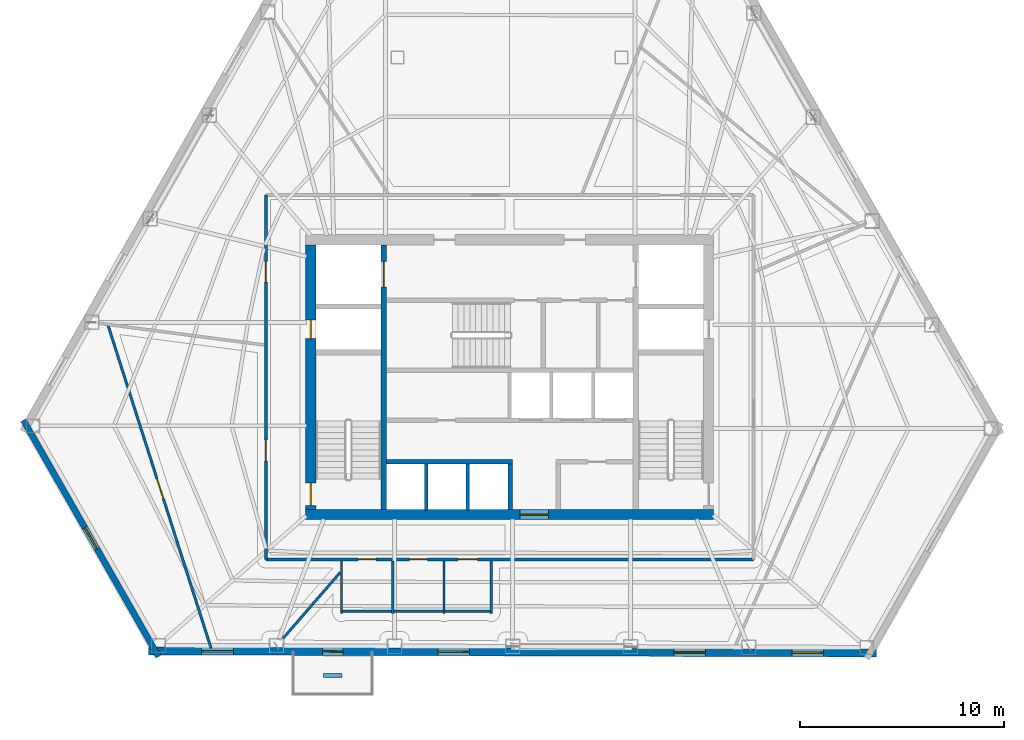
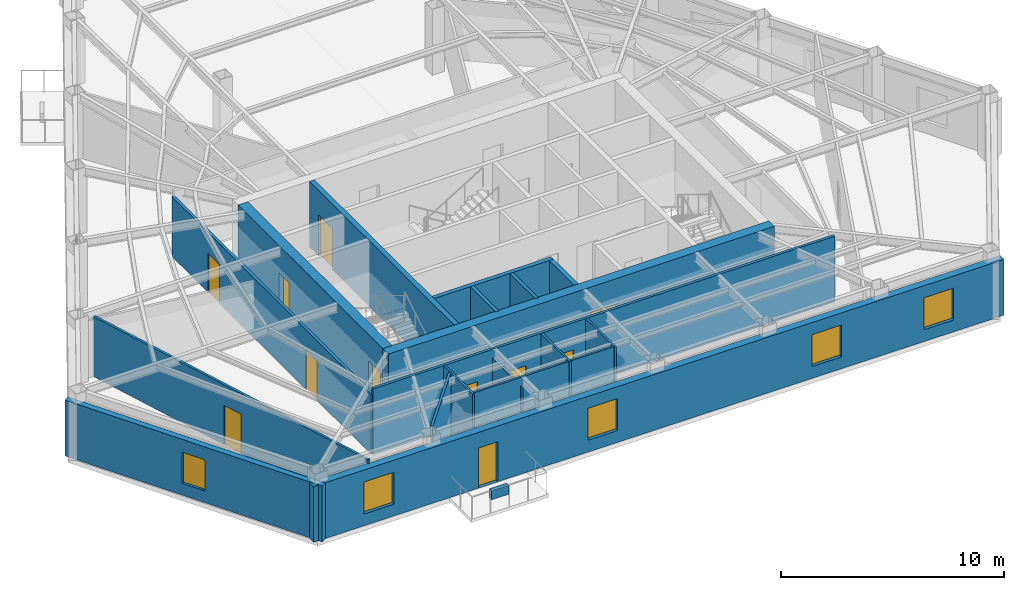
# One storey, part 8 of 13: 19 walls, 11 doors, 5 windows, 16 openings.
"""IFC4 building model written with IfcOpenShell, lengths in metres."""

from ifc_helpers import new_model, si_unit, direction, frame, frame_2d, origin, place, context, subcontext, project, spatial, rectangle, extrude, material, layer, layer_set, type_object, element, fill, save


model = new_model("IFC4")

# Units and contexts
model_context = context("Model", 3, precision=1e-05, world=origin(), true_north=direction((0.0, 1.0)))
body_context = subcontext(model_context, "Body", "Model", "MODEL_VIEW")
ifc_project = project(units=[si_unit("LENGTHUNIT", "METRE"), si_unit("AREAUNIT", "SQUARE_METRE"), si_unit("VOLUMEUNIT", "CUBIC_METRE"), si_unit("PLANEANGLEUNIT", "RADIAN"), si_unit("MASSUNIT", "GRAM", prefix="KILO")], contexts=[model_context])

# Site, building, storey
site_placement = place(None, origin())
site = spatial("IfcSite", under=ifc_project, at=site_placement, CompositionType="ELEMENT")
building_placement = place(site_placement, origin())
building = spatial("IfcBuilding", under=site, at=building_placement, Name="Kavelnor Concourse Tower", CompositionType="ELEMENT")
storey_placement = place(building_placement, frame((0.0, 0.0, 97.050048828125)))
storey = spatial("IfcBuildingStorey", under=building, at=storey_placement, Name="L24", CompositionType="ELEMENT", Elevation=97.050048828125)

# Wall, opening, door
ifc_material_1 = material(Name="Concrete C60/75", Category="concrete")
ifc_layer_1 = layer(ifc_material_1, 0.5, Name="Concrete C60/75")
ifc_layer_set_1 = layer_set([ifc_layer_1], Name="Concrete C60/75")
wall_type_1 = type_object("IfcWallType", Name="WL-CORE-Z2-500", PredefinedType="SOLIDWALL", material=ifc_layer_set_1)
wall_1_placement = place(storey_placement, frame((27.97998046875, 9.35009765625, 0.0), z_axis=(0.0, 0.0, 1.0), x_axis=(1.0, 0.0, 0.0)))
wall_1 = element("IfcWall", 1, at=wall_1_placement, inside=storey, type_object=wall_type_1, Name="L24 Central Core South Shear Wall", PredefinedType="SOLIDWALL", context=body_context, shape_type="SweptSolid", body=[
    extrude(rectangle(XDim=20.0400390625, YDim=0.5, at=frame_2d((10.02001953125, 0.0))), origin(), (0.0, 0.0, 1.0), 3.599853515625),
])
opening_1_placement = place(wall_1_placement, frame((10.52001953125, 0.0, 0.0)))
opening_1 = element("IfcOpeningElement", 2, at=opening_1_placement, cuts=wall_1, Name="Opening SD-140", PredefinedType="OPENING", context=body_context, shape_type="SweptSolid", body=[
    extrude(rectangle(XDim=1.39990234375, YDim=2.199951171875, at=frame_2d((0.699951171875, 1.10009765625))), frame((0.0, 0.260009765625, 0.0), z_axis=(0.0, -1.0, 0.0), x_axis=(1.0, 0.0, 0.0)), (0.0, 0.0, 1.0), 0.52001953125),
])
ifc_material_2 = material(Name="Solid-core hardwood timber", Category="wood")
door_type_1 = type_object("IfcDoorType", Name="DR-SUITE-ENTRY-1400", OperationType="NOTDEFINED", PredefinedType="DOOR", material=ifc_material_2)
door_1_placement = place(opening_1_placement, origin())
door_1 = element("IfcDoor", 3, at=door_1_placement, inside=storey, type_object=door_type_1, Name="L24 Passenger Lift Lobby Entry Door", OperationType="SINGLE_SWING_LEFT", OverallHeight=2.199951171875, OverallWidth=1.39990234375, PredefinedType="DOOR", context=body_context, shape_type="SweptSolid", body=[
    extrude(rectangle(XDim=1.39990234375, YDim=2.199951171875, at=frame_2d((0.699951171875, 1.10009765625))), frame((0.0, 0.02490234375, 0.0), z_axis=(0.0, -1.0, 0.0), x_axis=(1.0, 0.0, 0.0)), (0.0, 0.0, 1.0), 0.050048828125),
])
fill(opening_1, door_1)

# Wall, openings, doors
wall_2_placement = place(storey_placement, frame((28.22998046875, 9.60009765625, 0.0), z_axis=(0.0, 0.0, 1.0), x_axis=(0.0, 1.0, 0.0)))
wall_2 = element("IfcWall", 4, at=wall_2_placement, inside=storey, type_object=wall_type_1, Name="L24 Central Core West Shear Wall", PredefinedType="SOLIDWALL", context=body_context, shape_type="SweptSolid", body=[
    extrude(rectangle(XDim=13.0, YDim=0.5, at=frame_2d((6.5, 0.0))), origin(), (0.0, 0.0, 1.0), 3.599853515625),
])
opening_2_placement = place(wall_2_placement, frame((0.199951171875, 0.0, 0.0)))
opening_2 = element("IfcOpeningElement", 5, at=opening_2_placement, cuts=wall_2, Name="Opening FD-110", PredefinedType="OPENING", context=body_context, shape_type="SweptSolid", body=[
    extrude(rectangle(XDim=1.10009765625, YDim=2.14990234375, at=frame_2d((0.550048828125, 1.074951171875))), frame((0.0, 0.260009765625, 0.0), z_axis=(0.0, -1.0, 0.0), x_axis=(1.0, 0.0, 0.0)), (0.0, 0.0, 1.0), 0.52001953125),
])
opening_3_placement = place(wall_2_placement, frame((8.39990234375, 0.0, 0.0)))
opening_3 = element("IfcOpeningElement", 6, at=opening_3_placement, cuts=wall_2, Name="Opening FD-090", PredefinedType="OPENING", context=body_context, shape_type="SweptSolid", body=[
    extrude(rectangle(XDim=0.89990234375, YDim=2.10009765625, at=frame_2d((0.449951171875, 1.050048828125))), frame((0.0, 0.260009765625, 0.0), z_axis=(0.0, -1.0, 0.0), x_axis=(1.0, 0.0, 0.0)), (0.0, 0.0, 1.0), 0.52001953125),
])
ifc_material_3 = material(Name="Steel Grade 350", Category="steel")
door_type_2 = type_object("IfcDoorType", Name="DR-RISER-FIRE-900", OperationType="NOTDEFINED", PredefinedType="DOOR", material=ifc_material_3)
door_2_placement = place(opening_3_placement, origin())
door_2 = element("IfcDoor", 7, at=door_2_placement, inside=storey, type_object=door_type_2, Name="L24 West Riser Access Door", OperationType="SINGLE_SWING_RIGHT", OverallHeight=2.10009765625, OverallWidth=0.89990234375, PredefinedType="DOOR", context=body_context, shape_type="SweptSolid", body=[
    extrude(rectangle(XDim=0.89990234375, YDim=2.10009765625, at=frame_2d((0.449951171875, 1.050048828125))), frame((0.0, 0.02490234375, 0.0), z_axis=(0.0, -1.0, 0.0), x_axis=(1.0, 0.0, 0.0)), (0.0, 0.0, 1.0), 0.050048828125),
])
fill(opening_3, door_2)
door_type_3 = type_object("IfcDoorType", Name="DR-STAIR-FIRE-1100", OperationType="NOTDEFINED", PredefinedType="DOOR", material=ifc_material_3)
door_3_placement = place(opening_2_placement, origin())
door_3 = element("IfcDoor", 8, at=door_3_placement, inside=storey, type_object=door_type_3, Name="L24 Stair ST1 Fire Door", OperationType="SINGLE_SWING_LEFT", OverallHeight=2.14990234375, OverallWidth=1.10009765625, PredefinedType="DOOR", context=body_context, shape_type="SweptSolid", body=[
    extrude(rectangle(XDim=1.10009765625, YDim=2.14990234375, at=frame_2d((0.550048828125, 1.074951171875))), frame((0.0, 0.02490234375, 0.0), z_axis=(0.0, -1.0, 0.0), x_axis=(1.0, 0.0, 0.0)), (0.0, 0.0, 1.0), 0.050048828125),
])
fill(opening_2, door_3)

# Wall, opening, window
ifc_material_4 = material(Name="Buff ironspot clay face brick masonry", Category="masonry")
ifc_layer_2 = layer(ifc_material_4, 0.300048828125, Name="Buff ironspot clay face brick masonry")
ifc_layer_set_2 = layer_set([ifc_layer_2], Name="Buff ironspot clay face brick masonry")
wall_type_2 = type_object("IfcWallType", Name="WL-EXT-BUFF-BRICK-FOLD-300", PredefinedType="STANDARD", material=ifc_layer_set_2)
wall_3_placement = place(storey_placement, frame((20.75341796875, 2.371826171875, 0.0), z_axis=(0.0, 0.0, 1.0), x_axis=(-0.496215555128, 0.868199356628, 0.0)))
wall_3 = element("IfcWall", 9, at=wall_3_placement, inside=storey, type_object=wall_type_2, Name="L24 Exterior Brick Facade Wall E2", PredefinedType="STANDARD", context=body_context, shape_type="SweptSolid", body=[
    extrude(rectangle(XDim=13.383056640625, YDim=0.300048828125, at=frame_2d((6.69140625, 0.0))), origin(), (0.0, 0.0, 1.0), 3.058837890625),
])
opening_4_placement = place(wall_3_placement, frame((6.091552734375, 0.0, 0.64990234375)))
opening_4 = element("IfcOpeningElement", 10, at=opening_4_placement, cuts=wall_3, Name="Opening W-05", PredefinedType="OPENING", context=body_context, shape_type="SweptSolid", body=[
    extrude(rectangle(XDim=1.199951171875, YDim=1.699951171875, at=frame_2d((0.60009765625, 0.85009765625))), frame((0.0, 0.16015625, 0.0), z_axis=(0.0, -1.0, 0.0), x_axis=(1.0, 0.0, 0.0)), (0.0, 0.0, 1.0), 0.320068359375),
])
ifc_material_5 = material(Name="Double low-E argon insulated glazing", Category="glass")
window_type_1 = type_object("IfcWindowType", Name="WIN-FOLD-1200", PartitioningType="SINGLE_PANEL", PredefinedType="WINDOW", material=ifc_material_5)
window_1_placement = place(opening_4_placement, origin())
window_1 = element("IfcWindow", 11, at=window_1_placement, inside=storey, type_object=window_type_1, Name="L24 Chamfer-Fold Facet Window C1", OverallHeight=1.699951171875, OverallWidth=1.199951171875, PartitioningType="SINGLE_PANEL", PredefinedType="WINDOW", context=body_context, shape_type="SweptSolid", body=[
    extrude(rectangle(XDim=1.199951171875, YDim=1.699951171875, at=frame_2d((0.60009765625, 0.85009765625))), frame((0.0, 0.030029296875, 0.0), z_axis=(0.0, -1.0, 0.0), x_axis=(1.0, 0.0, 0.0)), (0.0, 0.0, 1.0), 0.06005859375),
])
fill(opening_4, window_1)

# Wall, openings, door, windows
ifc_material_6 = material(Name="Red-ochre clay face brick masonry", Category="masonry")
ifc_layer_3 = layer(ifc_material_6, 0.3798828125, Name="Red-ochre clay face brick masonry")
ifc_layer_set_3 = layer_set([ifc_layer_3], Name="Red-ochre clay face brick masonry")
wall_type_3 = type_object("IfcWallType", Name="WL-EXT-RED-BRICK-PIER-380", PredefinedType="STANDARD", material=ifc_layer_set_3)
wall_4_placement = place(storey_placement, frame((56.023193359375, 2.552001953125, 0.0), z_axis=(0.0, 0.0, 1.0), x_axis=(-0.999996099517, 0.002793018142, 0.0)))
wall_4 = element("IfcWall", 12, at=wall_4_placement, inside=storey, type_object=wall_type_3, Name="L24 Exterior Brick Facade Wall E3", PredefinedType="STANDARD", context=body_context, shape_type="SweptSolid", body=[
    extrude(rectangle(XDim=35.751220703125, YDim=0.3798828125, at=frame_2d((17.87548828125, 0.0))), origin(), (0.0, 0.0, 1.0), 3.058837890625),
])
opening_5_placement = place(wall_4_placement, frame((26.21337890625, 0.0, 0.0)))
opening_5 = element("IfcOpeningElement", 13, at=opening_5_placement, cuts=wall_4, Name="Opening BD-100", PredefinedType="OPENING", context=body_context, shape_type="SweptSolid", body=[
    extrude(rectangle(XDim=1.0, YDim=2.199951171875, at=frame_2d((0.5, 1.10009765625))), frame((0.0, 0.199951171875, 0.0), z_axis=(0.0, -1.0, 0.0), x_axis=(1.0, 0.0, 0.0)), (0.0, 0.0, 1.0), 0.39990234375),
])
opening_6_placement = place(wall_4_placement, frame((31.59912109375, 0.0, 0.64990234375)))
opening_6 = element("IfcOpeningElement", 14, at=opening_6_placement, cuts=wall_4, Name="Opening W-02", PredefinedType="OPENING", context=body_context, shape_type="SweptSolid", body=[
    extrude(rectangle(XDim=1.550048828125, YDim=1.75, at=frame_2d((0.77490234375, 0.875))), frame((0.0, 0.199951171875, 0.0), z_axis=(0.0, -1.0, 0.0), x_axis=(1.0, 0.0, 0.0)), (0.0, 0.0, 1.0), 0.39990234375),
])
opening_7_placement = place(wall_4_placement, frame((20.001220703125, 0.0, 0.64990234375)))
opening_7 = element("IfcOpeningElement", 15, at=opening_7_placement, cuts=wall_4, Name="Opening W-02", PredefinedType="OPENING", context=body_context, shape_type="SweptSolid", body=[
    extrude(rectangle(XDim=1.550048828125, YDim=1.75, at=frame_2d((0.77490234375, 0.875))), frame((0.0, 0.199951171875, 0.0), z_axis=(0.0, -1.0, 0.0), x_axis=(1.0, 0.0, 0.0)), (0.0, 0.0, 1.0), 0.39990234375),
])
opening_8_placement = place(wall_4_placement, frame((8.403564453125, 0.0, 0.64990234375)))
opening_8 = element("IfcOpeningElement", 16, at=opening_8_placement, cuts=wall_4, Name="Opening W-02", PredefinedType="OPENING", context=body_context, shape_type="SweptSolid", body=[
    extrude(rectangle(XDim=1.550048828125, YDim=1.75, at=frame_2d((0.77490234375, 0.875))), frame((0.0, 0.199951171875, 0.0), z_axis=(0.0, -1.0, 0.0), x_axis=(1.0, 0.0, 0.0)), (0.0, 0.0, 1.0), 0.39990234375),
])
opening_9_placement = place(wall_4_placement, frame((2.604736328125, 0.0, 0.64990234375)))
opening_9 = element("IfcOpeningElement", 17, at=opening_9_placement, cuts=wall_4, Name="Opening W-02", PredefinedType="OPENING", context=body_context, shape_type="SweptSolid", body=[
    extrude(rectangle(XDim=1.550048828125, YDim=1.75, at=frame_2d((0.77490234375, 0.875))), frame((0.0, 0.199951171875, 0.0), z_axis=(0.0, -1.0, 0.0), x_axis=(1.0, 0.0, 0.0)), (0.0, 0.0, 1.0), 0.39990234375),
])
ifc_material_7 = material(Name="Anodised aluminium 6063-T6", Category="aluminium")
door_type_4 = type_object("IfcDoorType", Name="DR-BALCONY-EXT-1000", OperationType="NOTDEFINED", PredefinedType="DOOR", material=ifc_material_7)
door_4_placement = place(opening_5_placement, origin())
door_4 = element("IfcDoor", 18, at=door_4_placement, inside=storey, type_object=door_type_4, Name="L24 Tree Balcony 2 Glazed Door", OperationType="SINGLE_SWING_RIGHT", OverallHeight=2.199951171875, OverallWidth=1.0, PredefinedType="DOOR", context=body_context, shape_type="SweptSolid", body=[
    extrude(rectangle(XDim=1.0, YDim=2.199951171875, at=frame_2d((0.5, 1.10009765625))), frame((0.0, 0.02490234375, 0.0), z_axis=(0.0, -1.0, 0.0), x_axis=(1.0, 0.0, 0.0)), (0.0, 0.0, 1.0), 0.050048828125),
])
fill(opening_5, door_4)
window_type_2 = type_object("IfcWindowType", Name="WIN-PIER-Z2-1650", PartitioningType="SINGLE_PANEL", PredefinedType="WINDOW", material=ifc_material_5)
window_2_placement = place(opening_6_placement, origin())
window_2 = element("IfcWindow", 19, at=window_2_placement, inside=storey, type_object=window_type_2, Name="L24 Deep-Set Brick Pier Window F1-B0", OverallHeight=1.75, OverallWidth=1.550048828125, PartitioningType="SINGLE_PANEL", PredefinedType="WINDOW", context=body_context, shape_type="SweptSolid", body=[
    extrude(rectangle(XDim=1.550048828125, YDim=1.75, at=frame_2d((0.77490234375, 0.875))), frame((0.0, 0.030029296875, 0.0), z_axis=(0.0, -1.0, 0.0), x_axis=(1.0, 0.0, 0.0)), (0.0, 0.0, 1.0), 0.06005859375),
])
fill(opening_6, window_2)
window_3_placement = place(opening_7_placement, origin())
window_3 = element("IfcWindow", 20, at=window_3_placement, inside=storey, type_object=window_type_2, Name="L24 Deep-Set Brick Pier Window F1-B2", OverallHeight=1.75, OverallWidth=1.550048828125, PartitioningType="SINGLE_PANEL", PredefinedType="WINDOW", context=body_context, shape_type="SweptSolid", body=[
    extrude(rectangle(XDim=1.550048828125, YDim=1.75, at=frame_2d((0.77490234375, 0.875))), frame((0.0, 0.030029296875, 0.0), z_axis=(0.0, -1.0, 0.0), x_axis=(1.0, 0.0, 0.0)), (0.0, 0.0, 1.0), 0.06005859375),
])
fill(opening_7, window_3)
window_4_placement = place(opening_8_placement, origin())
window_4 = element("IfcWindow", 21, at=window_4_placement, inside=storey, type_object=window_type_2, Name="L24 Deep-Set Brick Pier Window F1-B4", OverallHeight=1.75, OverallWidth=1.550048828125, PartitioningType="SINGLE_PANEL", PredefinedType="WINDOW", context=body_context, shape_type="SweptSolid", body=[
    extrude(rectangle(XDim=1.550048828125, YDim=1.75, at=frame_2d((0.77490234375, 0.875))), frame((0.0, 0.030029296875, 0.0), z_axis=(0.0, -1.0, 0.0), x_axis=(1.0, 0.0, 0.0)), (0.0, 0.0, 1.0), 0.06005859375),
])
fill(opening_8, window_4)
window_5_placement = place(opening_9_placement, origin())
window_5 = element("IfcWindow", 22, at=window_5_placement, inside=storey, type_object=window_type_2, Name="L24 Deep-Set Brick Pier Window F1-B5", OverallHeight=1.75, OverallWidth=1.550048828125, PartitioningType="SINGLE_PANEL", PredefinedType="WINDOW", context=body_context, shape_type="SweptSolid", body=[
    extrude(rectangle(XDim=1.550048828125, YDim=1.75, at=frame_2d((0.77490234375, 0.875))), frame((0.0, 0.030029296875, 0.0), z_axis=(0.0, -1.0, 0.0), x_axis=(1.0, 0.0, 0.0)), (0.0, 0.0, 1.0), 0.06005859375),
])
fill(opening_9, window_5)

# Wall, openings, doors
ifc_material_8 = material(Name="Gypsum plasterboard on light-gauge steel studs", Category="steel")
ifc_layer_4 = layer(ifc_material_8, 0.14501953125, Name="Gypsum plasterboard on light-gauge steel studs")
ifc_layer_set_4 = layer_set([ifc_layer_4], Name="Gypsum plasterboard on light-gauge steel studs")
wall_type_4 = type_object("IfcWallType", Name="WL-INT-CORR-145", PredefinedType="PARTITIONING", material=ifc_layer_set_4)
wall_5_placement = place(storey_placement, frame((26.030029296875, 25.050048828125, 0.0), z_axis=(0.0, 0.0, 1.0), x_axis=(0.0, -1.0, 0.0)))
wall_5 = element("IfcWall", 23, at=wall_5_placement, inside=storey, type_object=wall_type_4, Name="L24 Corridor Wall WL-L24-CR-03", PredefinedType="PARTITIONING", context=body_context, shape_type="SweptSolid", body=[
    extrude(rectangle(XDim=17.900146484375, YDim=0.14501953125, at=frame_2d((8.9501953125, 0.0))), origin(), (0.0, 0.0, 1.0), 3.287841796875),
])
opening_10_placement = place(wall_5_placement, frame((3.2587890625, 0.0, 0.0)))
opening_10 = element("IfcOpeningElement", 24, at=opening_10_placement, cuts=wall_5, Name="Opening MD-102", PredefinedType="OPENING", context=body_context, shape_type="SweptSolid", body=[
    extrude(rectangle(XDim=1.02001953125, YDim=2.14990234375, at=frame_2d((0.510009765625, 1.074951171875))), frame((0.0, 0.08251953125, 0.0), z_axis=(0.0, -1.0, 0.0), x_axis=(1.0, 0.0, 0.0)), (0.0, 0.0, 1.0), 0.1650390625),
])
opening_11_placement = place(wall_5_placement, frame((12.0380859375, 0.0, 0.0)))
opening_11 = element("IfcOpeningElement", 25, at=opening_11_placement, cuts=wall_5, Name="Opening MD-102", PredefinedType="OPENING", context=body_context, shape_type="SweptSolid", body=[
    extrude(rectangle(XDim=1.02001953125, YDim=2.14990234375, at=frame_2d((0.510009765625, 1.074951171875))), frame((0.0, 0.08251953125, 0.0), z_axis=(0.0, -1.0, 0.0), x_axis=(1.0, 0.0, 0.0)), (0.0, 0.0, 1.0), 0.1650390625),
])
ifc_material_9 = material(Name="Acoustic glazed timber frame", Category="wood")
door_type_5 = type_object("IfcDoorType", Name="DR-MEETING-1020", OperationType="NOTDEFINED", PredefinedType="DOOR", material=ifc_material_9)
door_5_placement = place(opening_10_placement, origin())
door_5 = element("IfcDoor", 26, at=door_5_placement, inside=storey, type_object=door_type_5, Name="L24 Client Boardroom 04 Door", OperationType="SINGLE_SWING_LEFT", OverallHeight=2.14990234375, OverallWidth=1.02001953125, PredefinedType="DOOR", context=body_context, shape_type="SweptSolid", body=[
    extrude(rectangle(XDim=1.02001953125, YDim=2.14990234375, at=frame_2d((0.510009765625, 1.074951171875))), frame((0.0, 0.02490234375, 0.0), z_axis=(0.0, -1.0, 0.0), x_axis=(1.0, 0.0, 0.0)), (0.0, 0.0, 1.0), 0.050048828125),
])
fill(opening_10, door_5)
door_6_placement = place(opening_11_placement, origin())
door_6 = element("IfcDoor", 27, at=door_6_placement, inside=storey, type_object=door_type_5, Name="L24 Client Boardroom 05 Door", OperationType="SINGLE_SWING_RIGHT", OverallHeight=2.14990234375, OverallWidth=1.02001953125, PredefinedType="DOOR", context=body_context, shape_type="SweptSolid", body=[
    extrude(rectangle(XDim=1.02001953125, YDim=2.14990234375, at=frame_2d((0.510009765625, 1.074951171875))), frame((0.0, 0.02490234375, 0.0), z_axis=(0.0, -1.0, 0.0), x_axis=(1.0, 0.0, 0.0)), (0.0, 0.0, 1.0), 0.050048828125),
])
fill(opening_11, door_6)

wall_6_placement = place(storey_placement, frame((26.030029296875, 7.14990234375, 0.0), z_axis=(0.0, 0.0, 1.0), x_axis=(1.0, 0.0, 0.0)))
wall_6 = element("IfcWall", 28, at=wall_6_placement, inside=storey, type_object=wall_type_4, Name="L24 Corridor Wall WL-L24-CR-04", PredefinedType="PARTITIONING", context=body_context, shape_type="SweptSolid", body=[
    extrude(rectangle(XDim=23.93994140625, YDim=0.14501953125, at=frame_2d((11.969970703125, 0.0))), origin(), (0.0, 0.0, 1.0), 3.599853515625),
])
opening_12_placement = place(wall_6_placement, frame((4.530029296875, 0.0, 0.0)))
opening_12 = element("IfcOpeningElement", 29, at=opening_12_placement, cuts=wall_6, Name="Opening WD-088", PredefinedType="OPENING", context=body_context, shape_type="SweptSolid", body=[
    extrude(rectangle(XDim=0.8798828125, YDim=2.10009765625, at=frame_2d((0.43994140625, 1.050048828125))), frame((0.0, 0.08251953125, 0.0), z_axis=(0.0, -1.0, 0.0), x_axis=(1.0, 0.0, 0.0)), (0.0, 0.0, 1.0), 0.1650390625),
])
opening_13_placement = place(wall_6_placement, frame((7.050048828125, 0.0, 0.0)))
opening_13 = element("IfcOpeningElement", 30, at=opening_13_placement, cuts=wall_6, Name="Opening WD-088", PredefinedType="OPENING", context=body_context, shape_type="SweptSolid", body=[
    extrude(rectangle(XDim=0.8798828125, YDim=2.10009765625, at=frame_2d((0.43994140625, 1.050048828125))), frame((0.0, 0.08251953125, 0.0), z_axis=(0.0, -1.0, 0.0), x_axis=(1.0, 0.0, 0.0)), (0.0, 0.0, 1.0), 0.1650390625),
])
opening_14_placement = place(wall_6_placement, frame((9.429931640625, 0.0, 0.0)))
opening_14 = element("IfcOpeningElement", 31, at=opening_14_placement, cuts=wall_6, Name="Opening WD-096", PredefinedType="OPENING", context=body_context, shape_type="SweptSolid", body=[
    extrude(rectangle(XDim=0.9599609375, YDim=2.10009765625, at=frame_2d((0.47998046875, 1.050048828125))), frame((0.0, 0.08251953125, 0.0), z_axis=(0.0, -1.0, 0.0), x_axis=(1.0, 0.0, 0.0)), (0.0, 0.0, 1.0), 0.1650390625),
])
door_type_6 = type_object("IfcDoorType", Name="DR-WC-ACC-960", OperationType="NOTDEFINED", PredefinedType="DOOR", material=ifc_material_2)
door_7_placement = place(opening_14_placement, origin())
door_7 = element("IfcDoor", 32, at=door_7_placement, inside=storey, type_object=door_type_6, Name="L24 Accessible WC Door", OperationType="SINGLE_SWING_LEFT", OverallHeight=2.10009765625, OverallWidth=0.9599609375, PredefinedType="DOOR", context=body_context, shape_type="SweptSolid", body=[
    extrude(rectangle(XDim=0.9599609375, YDim=2.10009765625, at=frame_2d((0.47998046875, 1.050048828125))), frame((0.0, 0.02490234375, 0.0), z_axis=(0.0, -1.0, 0.0), x_axis=(1.0, 0.0, 0.0)), (0.0, 0.0, 1.0), 0.050048828125),
])
fill(opening_14, door_7)
door_type_7 = type_object("IfcDoorType", Name="DR-WC-STD-880", OperationType="NOTDEFINED", PredefinedType="DOOR", material=ifc_material_2)
door_8_placement = place(opening_12_placement, origin())
door_8 = element("IfcDoor", 33, at=door_8_placement, inside=storey, type_object=door_type_7, Name="L24 Male WC Door", OperationType="SINGLE_SWING_LEFT", OverallHeight=2.10009765625, OverallWidth=0.8798828125, PredefinedType="DOOR", context=body_context, shape_type="SweptSolid", body=[
    extrude(rectangle(XDim=0.8798828125, YDim=2.10009765625, at=frame_2d((0.43994140625, 1.050048828125))), frame((0.0, 0.02490234375, 0.0), z_axis=(0.0, -1.0, 0.0), x_axis=(1.0, 0.0, 0.0)), (0.0, 0.0, 1.0), 0.050048828125),
])
fill(opening_12, door_8)
door_9_placement = place(opening_13_placement, origin())
door_9 = element("IfcDoor", 34, at=door_9_placement, inside=storey, type_object=door_type_7, Name="L24 Female WC Door", OperationType="SINGLE_SWING_RIGHT", OverallHeight=2.10009765625, OverallWidth=0.8798828125, PredefinedType="DOOR", context=body_context, shape_type="SweptSolid", body=[
    extrude(rectangle(XDim=0.8798828125, YDim=2.10009765625, at=frame_2d((0.43994140625, 1.050048828125))), frame((0.0, 0.02490234375, 0.0), z_axis=(0.0, -1.0, 0.0), x_axis=(1.0, 0.0, 0.0)), (0.0, 0.0, 1.0), 0.050048828125),
])
fill(opening_13, door_9)

# Walls
ifc_layer_5 = layer(ifc_material_8, 0.1650390625, Name="Gypsum plasterboard on light-gauge steel studs")
ifc_layer_set_5 = layer_set([ifc_layer_5], Name="Gypsum plasterboard on light-gauge steel studs")
wall_type_5 = type_object("IfcWallType", Name="WL-INT-FIRE-165", PredefinedType="PARTITIONING", material=ifc_layer_set_5)
for number, where, z_axis, x_axis, name in (
    (35, (33.89990234375, 9.550048828125, 0.0), (0.0, 0.0, 1.0), (0.0, 1.0, 0.0), "L24 Lift Shaft Divider LP7"),
    (36, (35.949951171875, 9.550048828125, 0.0), (0.0, 0.0, 1.0), (0.0, 1.0, 0.0), "L24 Lift Shaft Divider LP8"),
):
    element("IfcWall", number, at=place(storey_placement, frame(where, z_axis=z_axis, x_axis=x_axis)), inside=storey, type_object=wall_type_5, Name=name, PredefinedType="PARTITIONING", context=body_context, shape_type="SweptSolid", body=[
        extrude(rectangle(XDim=2.2900390625, YDim=0.1650390625, at=frame_2d((1.14501953125, 0.0))), origin(), (0.0, 0.0, 1.0), 3.599853515625),
    ])
ifc_layer_6 = layer(ifc_material_8, 0.125, Name="Gypsum plasterboard on light-gauge steel studs")
ifc_layer_set_6 = layer_set([ifc_layer_6], Name="Gypsum plasterboard on light-gauge steel studs")
wall_type_6 = type_object("IfcWallType", Name="WL-INT-SUITE-125", PredefinedType="PARTITIONING", material=ifc_layer_set_6)
wall_7_placement = place(storey_placement, frame((29.677001953125, 6.50830078125, 0.0), z_axis=(0.0, 0.0, 1.0), x_axis=(-0.655396820037, -0.755284720013, 0.0)))
element("IfcWall", 37, at=wall_7_placement, inside=storey, type_object=wall_type_6, Name="L24 Radial Suite Partition 05", PredefinedType="PARTITIONING", context=body_context, shape_type="SweptSolid", body=[
    extrude(rectangle(XDim=4.28466796875, YDim=0.125, at=frame_2d((2.142333984375, 0.0))), origin(), (0.0, 0.0, 1.0), 3.599853515625),
])

# Wall, opening, door
wall_8_placement = place(storey_placement, frame((18.264404296875, 18.6767578125, 0.0), z_axis=(0.0, 0.0, 1.0), x_axis=(0.303993518428, -0.95267409997, 0.0)))
wall_8 = element("IfcWall", 38, at=wall_8_placement, inside=storey, type_object=wall_type_6, Name="L24 Suite Subdivision Partition 04", PredefinedType="PARTITIONING", context=body_context, shape_type="SweptSolid", body=[
    extrude(rectangle(XDim=16.672607421875, YDim=0.125, at=frame_2d((8.33642578125, 0.0))), origin(), (0.0, 0.0, 1.0), 3.287841796875),
])
opening_15_placement = place(wall_8_placement, frame((7.941162109375, 0.0, 0.0)))
opening_15 = element("IfcOpeningElement", 39, at=opening_15_placement, cuts=wall_8, Name="Opening MD-102", PredefinedType="OPENING", context=body_context, shape_type="SweptSolid", body=[
    extrude(rectangle(XDim=1.02001953125, YDim=2.14990234375, at=frame_2d((0.510009765625, 1.074951171875))), frame((0.0, 0.072509765625, 0.0), z_axis=(0.0, -1.0, 0.0), x_axis=(1.0, 0.0, 0.0)), (0.0, 0.0, 1.0), 0.14501953125),
])
door_10_placement = place(opening_15_placement, origin())
door_10 = element("IfcDoor", 40, at=door_10_placement, inside=storey, type_object=door_type_5, Name="L24 Client Boardroom 06 Door", OperationType="SINGLE_SWING_LEFT", OverallHeight=2.14990234375, OverallWidth=1.02001953125, PredefinedType="DOOR", context=body_context, shape_type="SweptSolid", body=[
    extrude(rectangle(XDim=1.02001953125, YDim=2.14990234375, at=frame_2d((0.510009765625, 1.074951171875))), frame((0.0, 0.02490234375, 0.0), z_axis=(0.0, -1.0, 0.0), x_axis=(1.0, 0.0, 0.0)), (0.0, 0.0, 1.0), 0.050048828125),
])
fill(opening_15, door_10)

# Walls
ifc_layer_7 = layer(ifc_material_8, 0.110107421875, Name="Gypsum plasterboard on light-gauge steel studs")
ifc_layer_set_7 = layer_set([ifc_layer_7], Name="Gypsum plasterboard on light-gauge steel studs")
wall_type_7 = type_object("IfcWallType", Name="WL-INT-WC-110", PredefinedType="PLUMBINGWALL", material=ifc_layer_set_7)
wall_9_placement = place(storey_placement, frame((29.739990234375, 4.5, 0.0), z_axis=(0.0, 0.0, 1.0), x_axis=(0.0, 1.0, 0.0)))
element("IfcWall", 41, at=wall_9_placement, inside=storey, type_object=wall_type_7, Name="L24 Sanitary Partition WL-L24-WC-W", PredefinedType="PLUMBINGWALL", context=body_context, shape_type="SweptSolid", body=[
    extrude(rectangle(XDim=2.580078125, YDim=0.110107421875, at=frame_2d((1.2900390625, 0.0))), origin(), (0.0, 0.0, 1.0), 3.599853515625),
])
wall_10_placement = place(storey_placement, frame((32.260009765625, 4.5, 0.0), z_axis=(0.0, 0.0, 1.0), x_axis=(0.0, 1.0, 0.0)))
element("IfcWall", 42, at=wall_10_placement, inside=storey, type_object=wall_type_7, Name="L24 Sanitary Partition WL-L24-WC-D1", PredefinedType="PLUMBINGWALL", context=body_context, shape_type="SweptSolid", body=[
    extrude(rectangle(XDim=2.580078125, YDim=0.110107421875, at=frame_2d((1.2900390625, 0.0))), origin(), (0.0, 0.0, 1.0), 3.140869140625),
])
for number, where, z_axis, x_axis, name in (
    (43, (34.780029296875, 4.5, 0.0), (0.0, 0.0, 1.0), (0.0, 1.0, 0.0), "L24 Sanitary Partition WL-L24-WC-D2"),
    (44, (37.10009765625, 4.5, 0.0), (0.0, 0.0, 1.0), (0.0, 1.0, 0.0), "L24 Sanitary Partition WL-L24-WC-E"),
):
    element("IfcWall", number, at=place(storey_placement, frame(where, z_axis=z_axis, x_axis=x_axis)), inside=storey, type_object=wall_type_7, Name=name, PredefinedType="PLUMBINGWALL", context=body_context, shape_type="SweptSolid", body=[
        extrude(rectangle(XDim=2.580078125, YDim=0.110107421875, at=frame_2d((1.2900390625, 0.0))), origin(), (0.0, 0.0, 1.0), 3.599853515625),
    ])
wall_11_placement = place(storey_placement, frame((29.68994140625, 4.60009765625, 0.0), z_axis=(0.0, 0.0, 1.0), x_axis=(1.0, 0.0, 0.0)))
element("IfcWall", 45, at=wall_11_placement, inside=storey, type_object=wall_type_7, Name="L24 Sanitary Partition WL-L24-WC-S", PredefinedType="PLUMBINGWALL", context=body_context, shape_type="SweptSolid", body=[
    extrude(rectangle(XDim=7.4599609375, YDim=0.110107421875, at=frame_2d((3.72998046875, 0.0))), origin(), (0.0, 0.0, 1.0), 3.599853515625),
])
ifc_material_10 = material(Name="Architectural precast planter concrete C40/50", Category="concrete")
ifc_layer_8 = layer(ifc_material_10, 0.18994140625, Name="Architectural precast planter concrete C40/50")
ifc_layer_set_8 = layer_set([ifc_layer_8], Name="Architectural precast planter concrete C40/50")
wall_type_8 = type_object("IfcWallType", Name="WL-PLANTER-KERB-190", PredefinedType="USERDEFINED", material=ifc_layer_set_8)
wall_12_placement = place(storey_placement, frame((28.856689453125, 1.44287109375, 0.0), z_axis=(0.0, 0.0, 1.0), x_axis=(0.999995547112, -0.002984251497, 0.0)))
element("IfcWall", 46, at=wall_12_placement, inside=storey, type_object=wall_type_8, Name="L24 Tree Balcony 2 Tree Planter Kerb", ObjectType="PLANTER", PredefinedType="USERDEFINED", context=body_context, shape_type="SweptSolid", body=[
    extrude(rectangle(XDim=0.89990234375, YDim=0.18994140625, at=frame_2d((0.449951171875, 0.0))), origin(), (0.0, 0.0, 1.0), 0.5),
])
ifc_material_11 = material(Name="Concrete C50/60", Category="concrete")
ifc_layer_9 = layer(ifc_material_11, 0.219970703125, Name="Concrete C50/60")
ifc_layer_set_9 = layer_set([ifc_layer_9], Name="Concrete C50/60")
wall_type_9 = type_object("IfcWallType", Name="WL-SHAFT-220", PredefinedType="SOLIDWALL", material=ifc_layer_set_9)
wall_13_placement = place(storey_placement, frame((31.93994140625, 11.949951171875, 0.0), z_axis=(0.0, 0.0, 1.0), x_axis=(1.0, 0.0, 0.0)))
element("IfcWall", 47, at=wall_13_placement, inside=storey, type_object=wall_type_9, Name="L24 High-Rise Lift Bank North Wall", PredefinedType="SOLIDWALL", context=body_context, shape_type="SweptSolid", body=[
    extrude(rectangle(XDim=6.18994140625, YDim=0.219970703125, at=frame_2d((3.094970703125, 0.0))), origin(), (0.0, 0.0, 1.0), 3.599853515625),
])
wall_14_placement = place(storey_placement, frame((38.02001953125, 9.60009765625, 0.0), z_axis=(0.0, 0.0, 1.0), x_axis=(0.0, 1.0, 0.0)))
element("IfcWall", 48, at=wall_14_placement, inside=storey, type_object=wall_type_9, Name="L24 Lift Lobby Throat West Wall", PredefinedType="SOLIDWALL", context=body_context, shape_type="SweptSolid", body=[
    extrude(rectangle(XDim=2.239990234375, YDim=0.219970703125, at=frame_2d((1.1201171875, 0.0))), origin(), (0.0, 0.0, 1.0), 3.599853515625),
])

# Wall, opening, door
ifc_layer_10 = layer(ifc_material_11, 0.260009765625, Name="Concrete C50/60")
ifc_layer_set_10 = layer_set([ifc_layer_10], Name="Concrete C50/60")
wall_type_10 = type_object("IfcWallType", Name="WL-SHAFT-260", PredefinedType="SHEAR", material=ifc_layer_set_10)
wall_15_placement = place(storey_placement, frame((31.81005859375, 9.60009765625, 0.0), z_axis=(0.0, 0.0, 1.0), x_axis=(0.0, 1.0, 0.0)))
wall_15 = element("IfcWall", 49, at=wall_15_placement, inside=storey, type_object=wall_type_10, Name="L24 Core West Wing Shear Wall", PredefinedType="SHEAR", context=body_context, shape_type="SweptSolid", body=[
    extrude(rectangle(XDim=13.0, YDim=0.260009765625, at=frame_2d((6.5, 0.0))), origin(), (0.0, 0.0, 1.0), 3.599853515625),
])
opening_16_placement = place(wall_15_placement, frame((10.925048828125, 0.0, 0.0)))
opening_16 = element("IfcOpeningElement", 50, at=opening_16_placement, cuts=wall_15, Name="Opening LD-125", PredefinedType="OPENING", context=body_context, shape_type="SweptSolid", body=[
    extrude(rectangle(XDim=1.25, YDim=2.25, at=frame_2d((0.625, 1.125))), frame((0.0, 0.14013671875, 0.0), z_axis=(0.0, -1.0, 0.0), x_axis=(1.0, 0.0, 0.0)), (0.0, 0.0, 1.0), 0.280029296875),
])
door_type_8 = type_object("IfcDoorType", Name="DR-LIFT-SLIDING-1250", OperationType="NOTDEFINED", PredefinedType="DOOR", material=ifc_material_3)
door_11_placement = place(opening_16_placement, origin())
door_11 = element("IfcDoor", 51, at=door_11_placement, inside=storey, type_object=door_type_8, Name="L24 Emergency Lift FL1 Landing Door", OperationType="DOUBLE_DOOR_SLIDING", OverallHeight=2.25, OverallWidth=1.25, PredefinedType="DOOR", context=body_context, shape_type="SweptSolid", body=[
    extrude(rectangle(XDim=1.25, YDim=2.25, at=frame_2d((0.625, 1.125))), frame((0.0, 0.02490234375, 0.0), z_axis=(0.0, -1.0, 0.0), x_axis=(1.0, 0.0, 0.0)), (0.0, 0.0, 1.0), 0.050048828125),
])
fill(opening_16, door_11)

save(model, "model.ifc")
